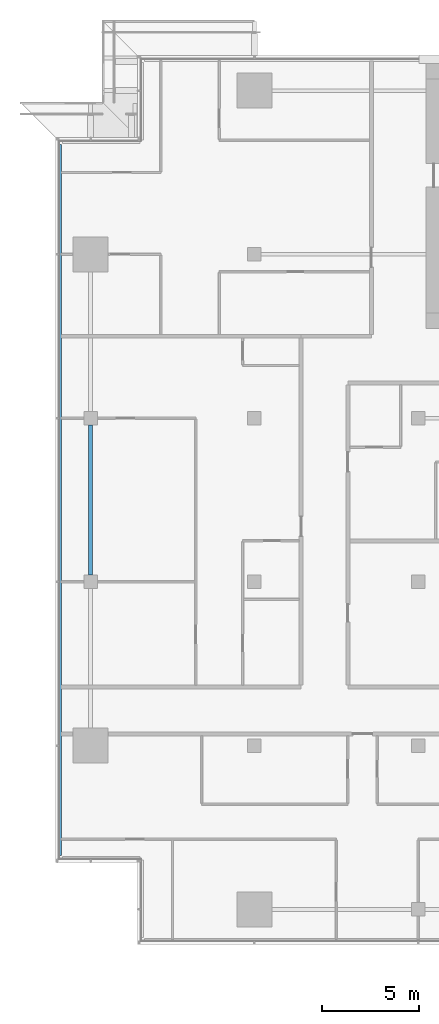
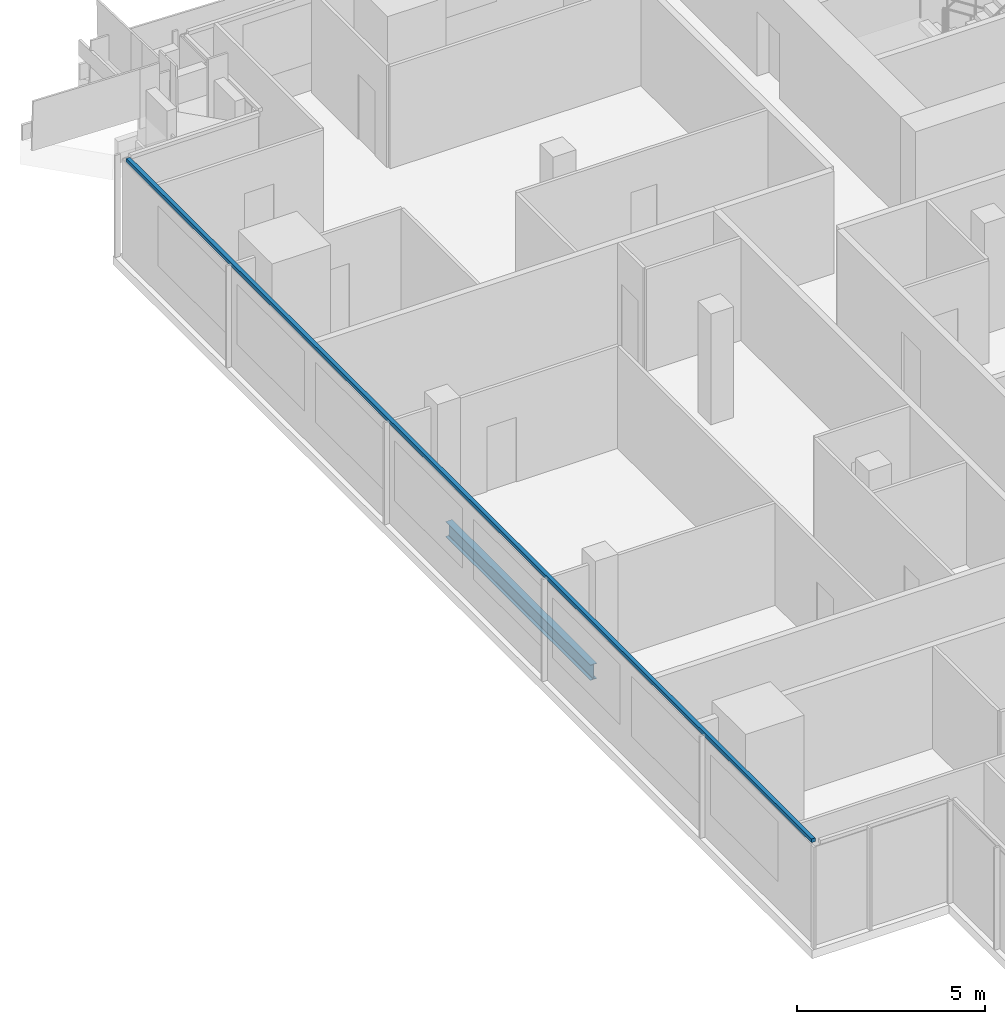
# One storey, part 5 of 30: 1 beam, 1 member, 1 element without a shape of its own.
"""IFC4 building model written with IfcOpenShell, lengths in metres."""

from ifc_helpers import new_model, si_unit, direction, frame, origin, origin_2d, place, context, subcontext, project, spatial, rectangle, i_section, extrude, material, material_profile, profile_set, type_object, element, aggregate, save


model = new_model("IFC4")

# Units and contexts
model_context = context("Model", 3, precision=1e-05, world=origin(), true_north=direction((0.0, 1.0)))
body_context = subcontext(model_context, "Body", "Model", "MODEL_VIEW")
ifc_project = project(units=[si_unit("LENGTHUNIT", "METRE"), si_unit("AREAUNIT", "SQUARE_METRE"), si_unit("VOLUMEUNIT", "CUBIC_METRE"), si_unit("PLANEANGLEUNIT", "RADIAN"), si_unit("MASSUNIT", "GRAM", prefix="KILO")], contexts=[model_context])

# Site, building, storey
site_placement = place(None, origin())
site = spatial("IfcSite", under=ifc_project, at=site_placement, CompositionType="ELEMENT")
building_placement = place(site_placement, origin())
building = spatial("IfcBuilding", under=site, at=building_placement, Name="Saffron Gate Tower", CompositionType="ELEMENT")
storey_placement = place(building_placement, frame((0.0, 0.0, 179.85009765625)))
storey = spatial("IfcBuildingStorey", under=building, at=storey_placement, Name="L44", CompositionType="ELEMENT", Elevation=179.85009765625)

# Beam
ifc_material_1 = material(Name="Structural steel S355", Category="steel")
ifc_material_profile_1 = material_profile(ifc_material_1, i_section(OverallWidth=0.199951171875, OverallDepth=0.5, WebThickness=0.01025390625, FlangeThickness=0.01611328125, FilletRadius=0.02099609375, at=origin_2d()))
ifc_profile_set_1 = profile_set([ifc_material_profile_1], Name="Structural steel S355")
beam_type = type_object("IfcBeamType", Name="B11 IPE 500", PredefinedType="SPANDREL", material=ifc_profile_set_1)
beam_placement = place(storey_placement, frame((49.800048828125, 48.949951171875, -0.530029296875), z_axis=(0.0, 1.0, 0.0), x_axis=(-1.0, 0.0, 0.0)))
element("IfcBeam", 1, at=beam_placement, inside=storey, type_object=beam_type, Name="B11 SPANDREL BEAM", PredefinedType="SPANDREL", context=body_context, shape_type="SweptSolid", body=[
    extrude(i_section(OverallWidth=0.199951171875, OverallDepth=0.5, WebThickness=0.01025390625, FlangeThickness=0.01611328125, FilletRadius=0.02099609375, at=origin_2d()), origin(), (0.0, 0.0, 1.0), 7.699951171875),
])

# Curtain wall, member
ifc_material_2 = material(Name="Aluminium, bronze anodised", Category="aluminium")
curtain_wall_type = type_object("IfcCurtainWallType", Name="CWS2 curtain wall side facades", PredefinedType="NOTDEFINED", material=ifc_material_2)
curtain_wall_placement = place(storey_placement, origin())
curtain_wall = element("IfcCurtainWall", 2, at=curtain_wall_placement, inside=storey, type_object=curtain_wall_type, Name="CWS2 run 10", PredefinedType="NOTDEFINED")
ifc_material_profile_2 = material_profile(ifc_material_2, rectangle(XDim=0.1201171875, YDim=0.1201171875, at=origin_2d()))
ifc_profile_set_2 = profile_set([ifc_material_profile_2], Name="Aluminium, bronze anodised")
member_type = type_object("IfcMemberType", Name="CWS2 head transom", PredefinedType="USERDEFINED", material=ifc_profile_set_2)
member_placement = place(storey_placement, frame((48.248046875, 71.031982421875, 3.260009765625), z_axis=(0.0, -1.0, 0.0), x_axis=(1.0, 0.0, 0.0)))
member = element("IfcMember", 3, at=member_placement, type_object=member_type, Name="CWS2 head transom", ObjectType="TRANSOM", PredefinedType="USERDEFINED", context=body_context, shape_type="SweptSolid", body=[
    extrude(rectangle(XDim=0.1201171875, YDim=0.1201171875, at=origin_2d()), origin(), (0.0, 0.0, 1.0), 36.4638671875),
])
aggregate(curtain_wall, [member])

save(model, "model.ifc")
